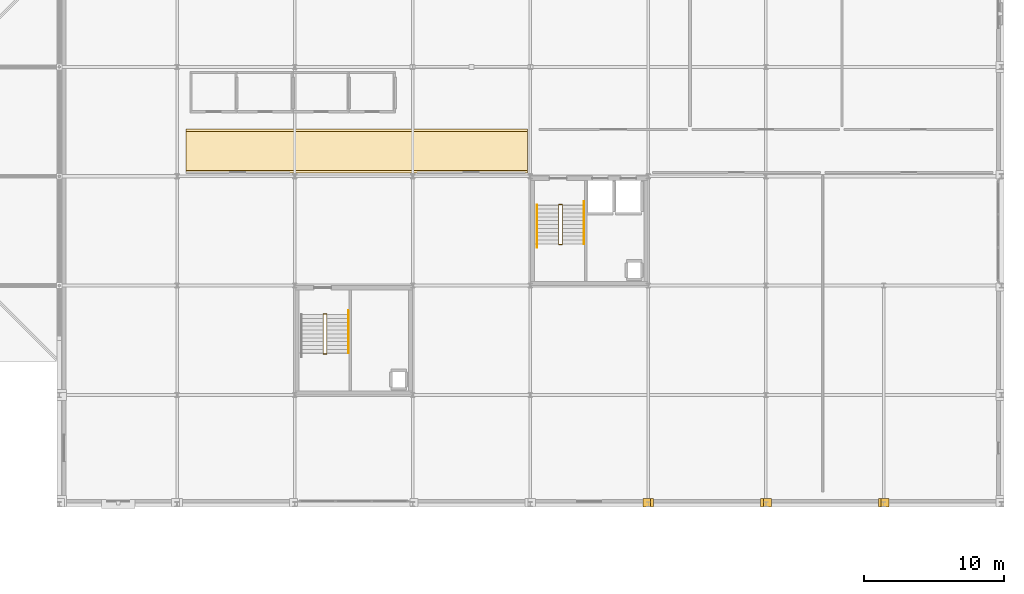
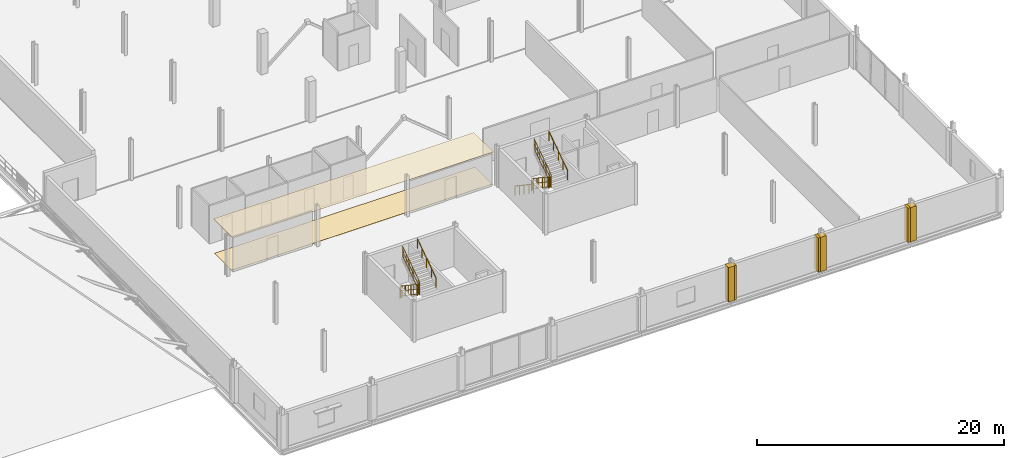
# One storey, part 74 of 77: 11 railings, 8 coverings.
"""IFC4 building model written with IfcOpenShell, lengths in metres."""

from ifc_helpers import new_model, si_unit, direction, frame, origin, origin_2d, place, context, subcontext, project, spatial, polyline, circle, outline, extrude, material, layer, layer_set, type_object, element, save


model = new_model("IFC4")

# Units and contexts
model_context = context("Model", 3, precision=1e-05, world=origin(), true_north=direction((0.0, 1.0)))
body_context = subcontext(model_context, "Body", "Model", "MODEL_VIEW")
ifc_project = project(units=[si_unit("LENGTHUNIT", "METRE"), si_unit("AREAUNIT", "SQUARE_METRE"), si_unit("VOLUMEUNIT", "CUBIC_METRE"), si_unit("PLANEANGLEUNIT", "RADIAN"), si_unit("MASSUNIT", "GRAM", prefix="KILO")], contexts=[model_context])

# Site, building, storey
site_placement = place(None, origin())
site = spatial("IfcSite", under=ifc_project, at=site_placement, CompositionType="ELEMENT")
building_placement = place(site_placement, origin())
building = spatial("IfcBuilding", under=site, at=building_placement, Name="Nabrawat Pavilion Hospital", CompositionType="ELEMENT")
storey_placement = place(building_placement, frame((0.0, 0.0, 14.85009765625)))
storey = spatial("IfcBuildingStorey", under=building, at=storey_placement, Name="L03", CompositionType="ELEMENT", Elevation=14.85009765625)

# Coverings
ifc_material_1 = material(Name="Precast concrete C40/50", Category="concrete")
ifc_layer_1 = layer(ifc_material_1, 0.360107421875, Name="Precast concrete C40/50")
ifc_layer_set_1 = layer_set([ifc_layer_1], Name="Precast concrete C40/50")
covering_type_1 = type_object("IfcCoveringType", Name="Architectural Precast Column-Jamb Closure Reveal", PredefinedType="CLADDING", material=ifc_layer_set_1)
covering_1_placement = place(storey_placement, origin())
element("IfcCovering", 1, at=covering_1_placement, inside=storey, type_object=covering_type_1, Name="L03 Precast Facade Column-Jamb Weatherseal Closure 0477", PredefinedType="CLADDING", context=body_context, shape_type="SweptSolid", body=[
    extrude(outline(polyline([(168.179931640625, -0.179931640625), (168.179931640625, 0.39990234375), (167.6201171875, 0.39990234375), (167.6201171875, -0.179931640625), (168.179931640625, -0.179931640625)])), origin(), (0.0, 0.0, 1.0), 3.39990234375),
])
covering_2_placement = place(storey_placement, origin())
element("IfcCovering", 2, at=covering_2_placement, inside=storey, type_object=covering_type_1, Name="L03 Precast Facade Column-Jamb Weatherseal Closure 0478", PredefinedType="CLADDING", context=body_context, shape_type="SweptSolid", body=[
    extrude(outline(polyline([(168.3798828125, -0.179931640625), (168.3798828125, 0.39990234375), (167.820068359375, 0.39990234375), (167.820068359375, -0.179931640625), (168.3798828125, -0.179931640625)])), origin(), (0.0, 0.0, 1.0), 3.39990234375),
])
covering_3_placement = place(storey_placement, origin())
element("IfcCovering", 3, at=covering_3_placement, inside=storey, type_object=covering_type_1, Name="L03 Precast Facade Column-Jamb Weatherseal Closure 0479", PredefinedType="CLADDING", context=body_context, shape_type="SweptSolid", body=[
    extrude(outline(polyline([(176.580078125, -0.179931640625), (176.580078125, 0.39990234375), (176.02001953125, 0.39990234375), (176.02001953125, -0.179931640625), (176.580078125, -0.179931640625)])), origin(), (0.0, 0.0, 1.0), 3.39990234375),
])
covering_4_placement = place(storey_placement, origin())
element("IfcCovering", 4, at=covering_4_placement, inside=storey, type_object=covering_type_1, Name="L03 Precast Facade Column-Jamb Weatherseal Closure 0480", PredefinedType="CLADDING", context=body_context, shape_type="SweptSolid", body=[
    extrude(outline(polyline([(176.780029296875, -0.179931640625), (176.780029296875, 0.39990234375), (176.219970703125, 0.39990234375), (176.219970703125, -0.179931640625), (176.780029296875, -0.179931640625)])), origin(), (0.0, 0.0, 1.0), 3.39990234375),
])
covering_5_placement = place(storey_placement, origin())
element("IfcCovering", 5, at=covering_5_placement, inside=storey, type_object=covering_type_1, Name="L03 Precast Facade Column-Jamb Weatherseal Closure 0481", PredefinedType="CLADDING", context=body_context, shape_type="SweptSolid", body=[
    extrude(outline(polyline([(184.97998046875, -0.179931640625), (184.97998046875, 0.39990234375), (184.419921875, 0.39990234375), (184.419921875, -0.179931640625), (184.97998046875, -0.179931640625)])), origin(), (0.0, 0.0, 1.0), 3.39990234375),
])
covering_6_placement = place(storey_placement, origin())
element("IfcCovering", 6, at=covering_6_placement, inside=storey, type_object=covering_type_1, Name="L03 Precast Facade Column-Jamb Weatherseal Closure 0482", PredefinedType="CLADDING", context=body_context, shape_type="SweptSolid", body=[
    extrude(outline(polyline([(185.179931640625, -0.179931640625), (185.179931640625, 0.39990234375), (184.6201171875, 0.39990234375), (184.6201171875, -0.179931640625), (185.179931640625, -0.179931640625)])), origin(), (0.0, 0.0, 1.0), 3.39990234375),
])
ifc_material_2 = material(Name="Mineral-Fibre Hygienic Acoustic Board", Category="gypsum")
ifc_layer_2 = layer(ifc_material_2, 0.02490234375, Name="Mineral-Fibre Hygienic Acoustic Board")
ifc_layer_set_2 = layer_set([ifc_layer_2], Name="Mineral-Fibre Hygienic Acoustic Board")
covering_type_2 = type_object("IfcCoveringType", Name="Hygienic Anti-Bacterial Acoustic Tile Ceiling", PredefinedType="CEILING", material=ifc_layer_set_2)
covering_7_placement = place(storey_placement, frame((0.0, 0.0, 3.27978515625)))
element("IfcCovering", 7, at=covering_7_placement, inside=storey, type_object=covering_type_2, Name="L03 Clinical Corridor Acoustic Ceiling 08", PredefinedType="CEILING", context=body_context, shape_type="SweptSolid", body=[
    extrude(outline(polyline([(159.39990234375, 23.6201171875), (159.39990234375, 26.780029296875), (135.050048828125, 26.780029296875), (135.050048828125, 23.6201171875), (159.39990234375, 23.6201171875)])), origin(), (0.0, 0.0, 1.0), 0.025146484375),
])
ifc_material_3 = material(Name="Homogeneous Medical PVC Vinyl", Category="plastic")
ifc_layer_3 = layer(ifc_material_3, 0.014892578125, Name="Homogeneous Medical PVC Vinyl")
ifc_layer_set_3 = layer_set([ifc_layer_3], Name="Homogeneous Medical PVC Vinyl")
covering_type_3 = type_object("IfcCoveringType", Name="Seamless Anti-Static Medical Vinyl Flooring", PredefinedType="FLOORING", material=ifc_layer_set_3)
covering_8_placement = place(storey_placement, origin())
element("IfcCovering", 8, at=covering_8_placement, inside=storey, type_object=covering_type_3, Name="L03 Clinical Corridor Medical Vinyl Flooring 08", PredefinedType="FLOORING", context=body_context, shape_type="SweptSolid", body=[
    extrude(outline(polyline([(159.39990234375, 23.800048828125), (159.39990234375, 26.60009765625), (135.050048828125, 26.60009765625), (135.050048828125, 23.800048828125), (159.39990234375, 23.800048828125)])), origin(), (0.0, 0.0, 1.0), 0.014892578125),
])

# Railings
ifc_material_4 = material(Name="Stainless Steel 316", Category="steel")
ifc_layer_4 = layer(ifc_material_4, 0.050048828125, Name="Stainless Steel 316")
ifc_layer_set_4 = layer_set([ifc_layer_4], Name="Stainless Steel 316")
railing_type_1 = type_object("IfcRailingType", Name="Stair Open-Well Safety Guardrail 1100", PredefinedType="GUARDRAIL", material=ifc_layer_set_4)
railing_1_placement = place(storey_placement, frame((161.625, 21.330078125, 0.18408203125)))
element("IfcRailing", 9, at=railing_1_placement, inside=storey, type_object=railing_type_1, Name="L03 ST-04 stair guard 1", PredefinedType="GUARDRAIL", context=body_context, shape_type="SweptSolid", body=[
    extrude(circle(Radius=0.02392578125, at=origin_2d()), frame((0.0, 0.0, 1.076171875), z_axis=(0.0, -0.831004616288, 0.556265519071), x_axis=(1.0, 0.0, 0.0)), (0.0, 0.0, 1.0), 3.309326171875),
    extrude(circle(Radius=0.02392578125, at=origin_2d()), frame((0.0, 0.0, 0.10009765625), z_axis=(0.0, -0.831004616288, 0.556265519071), x_axis=(1.0, 0.0, 0.0)), (0.0, 0.0, 1.0), 3.309326171875),
    extrude(circle(Radius=0.02392578125, at=origin_2d()), frame((0.0, 0.0, 0.60498046875), z_axis=(0.0, -0.831004616288, 0.556265519071), x_axis=(1.0, 0.0, 0.0)), (0.0, 0.0, 1.0), 3.309326171875),
    extrude(circle(Radius=0.008056640625, at=origin_2d()), frame((0.0, -0.196533203125, 0.2314453125)), (0.0, 0.0, 1.0), 0.951904296875),
    extrude(circle(Radius=0.008056640625, at=origin_2d()), frame((0.0, -0.392822265625, 0.363037109375)), (0.0, 0.0, 1.0), 0.951904296875),
    extrude(circle(Radius=0.008056640625, at=origin_2d()), frame((0.0, -0.58935546875, 0.494384765625)), (0.0, 0.0, 1.0), 0.951904296875),
    extrude(circle(Radius=0.008056640625, at=origin_2d()), frame((0.0, -0.78564453125, 0.6259765625)), (0.0, 0.0, 1.0), 0.951904296875),
    extrude(circle(Radius=0.008056640625, at=origin_2d()), frame((0.0, -0.982177734375, 0.75732421875)), (0.0, 0.0, 1.0), 0.951904296875),
    extrude(circle(Radius=0.008056640625, at=origin_2d()), frame((0.0, -1.178466796875, 0.888916015625)), (0.0, 0.0, 1.0), 0.951904296875),
    extrude(circle(Radius=0.008056640625, at=origin_2d()), frame((0.0, -1.375, 1.0205078125)), (0.0, 0.0, 1.0), 0.951904296875),
    extrude(circle(Radius=0.008056640625, at=origin_2d()), frame((0.0, -1.571533203125, 1.15185546875)), (0.0, 0.0, 1.0), 0.951904296875),
    extrude(circle(Radius=0.008056640625, at=origin_2d()), frame((0.0, -1.767822265625, 1.283447265625)), (0.0, 0.0, 1.0), 0.951904296875),
    extrude(circle(Radius=0.008056640625, at=origin_2d()), frame((0.0, -1.96435546875, 1.414794921875)), (0.0, 0.0, 1.0), 0.951904296875),
    extrude(circle(Radius=0.008056640625, at=origin_2d()), frame((0.0, -2.16064453125, 1.54638671875)), (0.0, 0.0, 1.0), 0.951904296875),
    extrude(circle(Radius=0.008056640625, at=origin_2d()), frame((0.0, -2.357177734375, 1.677734375)), (0.0, 0.0, 1.0), 0.951904296875),
    extrude(circle(Radius=0.008056640625, at=origin_2d()), frame((0.0, -2.553466796875, 1.809326171875)), (0.0, 0.0, 1.0), 0.951904296875),
    extrude(circle(Radius=0.02099609375, at=origin_2d()), origin(), (0.0, 0.0, 1.0), 1.052001953125),
    extrude(circle(Radius=0.02099609375, at=origin_2d()), frame((0.0, -0.916748046875, 0.613525390625)), (0.0, 0.0, 1.0), 1.052001953125),
    extrude(circle(Radius=0.02099609375, at=origin_2d()), frame((0.0, -1.833251953125, 1.227294921875)), (0.0, 0.0, 1.0), 1.052001953125),
    extrude(circle(Radius=0.02099609375, at=origin_2d()), frame((0.0, -2.75, 1.8408203125)), (0.0, 0.0, 1.0), 1.052001953125),
])
railing_2_placement = place(storey_placement, frame((161.64990234375, 18.530029296875, 2.02490234375)))
element("IfcRailing", 10, at=railing_2_placement, inside=storey, type_object=railing_type_1, Name="L03 ST-04 stair guard 2", PredefinedType="GUARDRAIL", context=body_context, shape_type="SweptSolid", body=[
    extrude(circle(Radius=0.02392578125, at=origin_2d()), frame((0.0, 0.0, 1.076171875), z_axis=(1.0, 0.0, 0.0), x_axis=(0.0, 1.0, 0.0)), (0.0, 0.0, 1.0), 0.2001953125),
    extrude(circle(Radius=0.02392578125, at=origin_2d()), frame((0.0, 0.0, 0.10009765625), z_axis=(1.0, 0.0, 0.0), x_axis=(0.0, 1.0, 0.0)), (0.0, 0.0, 1.0), 0.2001953125),
    extrude(circle(Radius=0.02392578125, at=origin_2d()), frame((0.0, 0.0, 0.60498046875), z_axis=(1.0, 0.0, 0.0), x_axis=(0.0, 1.0, 0.0)), (0.0, 0.0, 1.0), 0.2001953125),
    extrude(circle(Radius=0.008056640625, at=origin_2d()), frame((0.10009765625, 0.0, 0.10009765625)), (0.0, 0.0, 1.0), 0.951904296875),
    extrude(circle(Radius=0.02099609375, at=origin_2d()), origin(), (0.0, 0.0, 1.0), 1.052001953125),
    extrude(circle(Radius=0.02099609375, at=origin_2d()), frame((0.2001953125, 0.0, 0.0)), (0.0, 0.0, 1.0), 1.052001953125),
])
railing_3_placement = place(storey_placement, frame((161.875, 18.580078125, 2.208984375)))
element("IfcRailing", 11, at=railing_3_placement, inside=storey, type_object=railing_type_1, Name="L03 ST-04 stair guard 3", PredefinedType="GUARDRAIL", context=body_context, shape_type="SweptSolid", body=[
    extrude(circle(Radius=0.02392578125, at=origin_2d()), frame((0.0, 0.0, 1.076171875), z_axis=(0.0, 0.831004616288, 0.556265519071), x_axis=(-1.0, 0.0, 0.0)), (0.0, 0.0, 1.0), 3.309326171875),
    extrude(circle(Radius=0.02392578125, at=origin_2d()), frame((0.0, 0.0, 0.10009765625), z_axis=(0.0, 0.831004616288, 0.556265519071), x_axis=(-1.0, 0.0, 0.0)), (0.0, 0.0, 1.0), 3.309326171875),
    extrude(circle(Radius=0.02392578125, at=origin_2d()), frame((0.0, 0.0, 0.60498046875), z_axis=(0.0, 0.831004616288, 0.556265519071), x_axis=(-1.0, 0.0, 0.0)), (0.0, 0.0, 1.0), 3.309326171875),
    extrude(circle(Radius=0.008056640625, at=origin_2d()), frame((0.0, 0.196533203125, 0.2314453125)), (0.0, 0.0, 1.0), 0.951904296875),
    extrude(circle(Radius=0.008056640625, at=origin_2d()), frame((0.0, 0.392822265625, 0.363037109375)), (0.0, 0.0, 1.0), 0.951904296875),
    extrude(circle(Radius=0.008056640625, at=origin_2d()), frame((0.0, 0.58935546875, 0.494384765625)), (0.0, 0.0, 1.0), 0.951904296875),
    extrude(circle(Radius=0.008056640625, at=origin_2d()), frame((0.0, 0.78564453125, 0.6259765625)), (0.0, 0.0, 1.0), 0.951904296875),
    extrude(circle(Radius=0.008056640625, at=origin_2d()), frame((0.0, 0.982177734375, 0.75732421875)), (0.0, 0.0, 1.0), 0.951904296875),
    extrude(circle(Radius=0.008056640625, at=origin_2d()), frame((0.0, 1.178466796875, 0.888916015625)), (0.0, 0.0, 1.0), 0.951904296875),
    extrude(circle(Radius=0.008056640625, at=origin_2d()), frame((0.0, 1.375, 1.0205078125)), (0.0, 0.0, 1.0), 0.951904296875),
    extrude(circle(Radius=0.008056640625, at=origin_2d()), frame((0.0, 1.571533203125, 1.15185546875)), (0.0, 0.0, 1.0), 0.951904296875),
    extrude(circle(Radius=0.008056640625, at=origin_2d()), frame((0.0, 1.767822265625, 1.283447265625)), (0.0, 0.0, 1.0), 0.951904296875),
    extrude(circle(Radius=0.008056640625, at=origin_2d()), frame((0.0, 1.96435546875, 1.414794921875)), (0.0, 0.0, 1.0), 0.951904296875),
    extrude(circle(Radius=0.008056640625, at=origin_2d()), frame((0.0, 2.16064453125, 1.54638671875)), (0.0, 0.0, 1.0), 0.951904296875),
    extrude(circle(Radius=0.008056640625, at=origin_2d()), frame((0.0, 2.357177734375, 1.677734375)), (0.0, 0.0, 1.0), 0.951904296875),
    extrude(circle(Radius=0.008056640625, at=origin_2d()), frame((0.0, 2.553466796875, 1.809326171875)), (0.0, 0.0, 1.0), 0.951904296875),
    extrude(circle(Radius=0.02099609375, at=origin_2d()), origin(), (0.0, 0.0, 1.0), 1.052001953125),
    extrude(circle(Radius=0.02099609375, at=origin_2d()), frame((0.0, 0.916748046875, 0.613525390625)), (0.0, 0.0, 1.0), 1.052001953125),
    extrude(circle(Radius=0.02099609375, at=origin_2d()), frame((0.0, 1.833251953125, 1.227294921875)), (0.0, 0.0, 1.0), 1.052001953125),
    extrude(circle(Radius=0.02099609375, at=origin_2d()), frame((0.0, 2.75, 1.8408203125)), (0.0, 0.0, 1.0), 1.052001953125),
])
railing_4_placement = place(storey_placement, frame((161.64990234375, 21.3798828125, 0.0)))
element("IfcRailing", 12, at=railing_4_placement, inside=storey, type_object=railing_type_1, Name="L03 ST-04 stair guard 4", PredefinedType="GUARDRAIL", context=body_context, shape_type="SweptSolid", body=[
    extrude(circle(Radius=0.02392578125, at=origin_2d()), frame((0.0, 0.0, 1.076171875), z_axis=(1.0, 0.0, 0.0), x_axis=(0.0, 1.0, 0.0)), (0.0, 0.0, 1.0), 0.2001953125),
    extrude(circle(Radius=0.02392578125, at=origin_2d()), frame((0.0, 0.0, 0.10009765625), z_axis=(1.0, 0.0, 0.0), x_axis=(0.0, 1.0, 0.0)), (0.0, 0.0, 1.0), 0.2001953125),
    extrude(circle(Radius=0.02392578125, at=origin_2d()), frame((0.0, 0.0, 0.60498046875), z_axis=(1.0, 0.0, 0.0), x_axis=(0.0, 1.0, 0.0)), (0.0, 0.0, 1.0), 0.2001953125),
    extrude(circle(Radius=0.008056640625, at=origin_2d()), frame((0.10009765625, 0.0, 0.10009765625)), (0.0, 0.0, 1.0), 0.951904296875),
    extrude(circle(Radius=0.02099609375, at=origin_2d()), origin(), (0.0, 0.0, 1.0), 1.052001953125),
    extrude(circle(Radius=0.02099609375, at=origin_2d()), frame((0.2001953125, 0.0, 0.0)), (0.0, 0.0, 1.0), 1.052001953125),
])
railing_5_placement = place(storey_placement, frame((144.824951171875, 13.530029296875, 0.18408203125)))
element("IfcRailing", 13, at=railing_5_placement, inside=storey, type_object=railing_type_1, Name="L03 ST-08 stair guard 1", PredefinedType="GUARDRAIL", context=body_context, shape_type="SweptSolid", body=[
    extrude(circle(Radius=0.02392578125, at=origin_2d()), frame((0.0, 0.0, 1.076171875), z_axis=(0.0, -0.831004616288, 0.556265519071), x_axis=(1.0, 0.0, 0.0)), (0.0, 0.0, 1.0), 3.309326171875),
    extrude(circle(Radius=0.02392578125, at=origin_2d()), frame((0.0, 0.0, 0.10009765625), z_axis=(0.0, -0.831004616288, 0.556265519071), x_axis=(1.0, 0.0, 0.0)), (0.0, 0.0, 1.0), 3.309326171875),
    extrude(circle(Radius=0.02392578125, at=origin_2d()), frame((0.0, 0.0, 0.60498046875), z_axis=(0.0, -0.831004616288, 0.556265519071), x_axis=(1.0, 0.0, 0.0)), (0.0, 0.0, 1.0), 3.309326171875),
    extrude(circle(Radius=0.008056640625, at=origin_2d()), frame((0.0, -0.196533203125, 0.2314453125)), (0.0, 0.0, 1.0), 0.951904296875),
    extrude(circle(Radius=0.008056640625, at=origin_2d()), frame((0.0, -0.392822265625, 0.363037109375)), (0.0, 0.0, 1.0), 0.951904296875),
    extrude(circle(Radius=0.008056640625, at=origin_2d()), frame((0.0, -0.58935546875, 0.494384765625)), (0.0, 0.0, 1.0), 0.951904296875),
    extrude(circle(Radius=0.008056640625, at=origin_2d()), frame((0.0, -0.78564453125, 0.6259765625)), (0.0, 0.0, 1.0), 0.951904296875),
    extrude(circle(Radius=0.008056640625, at=origin_2d()), frame((0.0, -0.982177734375, 0.75732421875)), (0.0, 0.0, 1.0), 0.951904296875),
    extrude(circle(Radius=0.008056640625, at=origin_2d()), frame((0.0, -1.178466796875, 0.888916015625)), (0.0, 0.0, 1.0), 0.951904296875),
    extrude(circle(Radius=0.008056640625, at=origin_2d()), frame((0.0, -1.375, 1.0205078125)), (0.0, 0.0, 1.0), 0.951904296875),
    extrude(circle(Radius=0.008056640625, at=origin_2d()), frame((0.0, -1.571533203125, 1.15185546875)), (0.0, 0.0, 1.0), 0.951904296875),
    extrude(circle(Radius=0.008056640625, at=origin_2d()), frame((0.0, -1.767822265625, 1.283447265625)), (0.0, 0.0, 1.0), 0.951904296875),
    extrude(circle(Radius=0.008056640625, at=origin_2d()), frame((0.0, -1.96435546875, 1.414794921875)), (0.0, 0.0, 1.0), 0.951904296875),
    extrude(circle(Radius=0.008056640625, at=origin_2d()), frame((0.0, -2.16064453125, 1.54638671875)), (0.0, 0.0, 1.0), 0.951904296875),
    extrude(circle(Radius=0.008056640625, at=origin_2d()), frame((0.0, -2.357177734375, 1.677734375)), (0.0, 0.0, 1.0), 0.951904296875),
    extrude(circle(Radius=0.008056640625, at=origin_2d()), frame((0.0, -2.553466796875, 1.809326171875)), (0.0, 0.0, 1.0), 0.951904296875),
    extrude(circle(Radius=0.02099609375, at=origin_2d()), origin(), (0.0, 0.0, 1.0), 1.052001953125),
    extrude(circle(Radius=0.02099609375, at=origin_2d()), frame((0.0, -0.916748046875, 0.613525390625)), (0.0, 0.0, 1.0), 1.052001953125),
    extrude(circle(Radius=0.02099609375, at=origin_2d()), frame((0.0, -1.833251953125, 1.227294921875)), (0.0, 0.0, 1.0), 1.052001953125),
    extrude(circle(Radius=0.02099609375, at=origin_2d()), frame((0.0, -2.75, 1.8408203125)), (0.0, 0.0, 1.0), 1.052001953125),
])
railing_6_placement = place(storey_placement, frame((144.85009765625, 10.72998046875, 2.02490234375)))
element("IfcRailing", 14, at=railing_6_placement, inside=storey, type_object=railing_type_1, Name="L03 ST-08 stair guard 2", PredefinedType="GUARDRAIL", context=body_context, shape_type="SweptSolid", body=[
    extrude(circle(Radius=0.02392578125, at=origin_2d()), frame((0.0, 0.0, 1.076171875), z_axis=(1.0, 0.0, 0.0), x_axis=(0.0, 1.0, 0.0)), (0.0, 0.0, 1.0), 0.199951171875),
    extrude(circle(Radius=0.02392578125, at=origin_2d()), frame((0.0, 0.0, 0.10009765625), z_axis=(1.0, 0.0, 0.0), x_axis=(0.0, 1.0, 0.0)), (0.0, 0.0, 1.0), 0.199951171875),
    extrude(circle(Radius=0.02392578125, at=origin_2d()), frame((0.0, 0.0, 0.60498046875), z_axis=(1.0, 0.0, 0.0), x_axis=(0.0, 1.0, 0.0)), (0.0, 0.0, 1.0), 0.199951171875),
    extrude(circle(Radius=0.008056640625, at=origin_2d()), frame((0.10009765625, 0.0, 0.10009765625)), (0.0, 0.0, 1.0), 0.951904296875),
    extrude(circle(Radius=0.02099609375, at=origin_2d()), origin(), (0.0, 0.0, 1.0), 1.052001953125),
    extrude(circle(Radius=0.02099609375, at=origin_2d()), frame((0.199951171875, 0.0, 0.0)), (0.0, 0.0, 1.0), 1.052001953125),
])
railing_7_placement = place(storey_placement, frame((145.074951171875, 10.780029296875, 2.208984375)))
element("IfcRailing", 15, at=railing_7_placement, inside=storey, type_object=railing_type_1, Name="L03 ST-08 stair guard 3", PredefinedType="GUARDRAIL", context=body_context, shape_type="SweptSolid", body=[
    extrude(circle(Radius=0.02392578125, at=origin_2d()), frame((0.0, 0.0, 1.076171875), z_axis=(0.0, 0.831004616288, 0.556265519071), x_axis=(-1.0, 0.0, 0.0)), (0.0, 0.0, 1.0), 3.309326171875),
    extrude(circle(Radius=0.02392578125, at=origin_2d()), frame((0.0, 0.0, 0.10009765625), z_axis=(0.0, 0.831004616288, 0.556265519071), x_axis=(-1.0, 0.0, 0.0)), (0.0, 0.0, 1.0), 3.309326171875),
    extrude(circle(Radius=0.02392578125, at=origin_2d()), frame((0.0, 0.0, 0.60498046875), z_axis=(0.0, 0.831004616288, 0.556265519071), x_axis=(-1.0, 0.0, 0.0)), (0.0, 0.0, 1.0), 3.309326171875),
    extrude(circle(Radius=0.008056640625, at=origin_2d()), frame((0.0, 0.196533203125, 0.2314453125)), (0.0, 0.0, 1.0), 0.951904296875),
    extrude(circle(Radius=0.008056640625, at=origin_2d()), frame((0.0, 0.392822265625, 0.363037109375)), (0.0, 0.0, 1.0), 0.951904296875),
    extrude(circle(Radius=0.008056640625, at=origin_2d()), frame((0.0, 0.58935546875, 0.494384765625)), (0.0, 0.0, 1.0), 0.951904296875),
    extrude(circle(Radius=0.008056640625, at=origin_2d()), frame((0.0, 0.78564453125, 0.6259765625)), (0.0, 0.0, 1.0), 0.951904296875),
    extrude(circle(Radius=0.008056640625, at=origin_2d()), frame((0.0, 0.982177734375, 0.75732421875)), (0.0, 0.0, 1.0), 0.951904296875),
    extrude(circle(Radius=0.008056640625, at=origin_2d()), frame((0.0, 1.178466796875, 0.888916015625)), (0.0, 0.0, 1.0), 0.951904296875),
    extrude(circle(Radius=0.008056640625, at=origin_2d()), frame((0.0, 1.375, 1.0205078125)), (0.0, 0.0, 1.0), 0.951904296875),
    extrude(circle(Radius=0.008056640625, at=origin_2d()), frame((0.0, 1.571533203125, 1.15185546875)), (0.0, 0.0, 1.0), 0.951904296875),
    extrude(circle(Radius=0.008056640625, at=origin_2d()), frame((0.0, 1.767822265625, 1.283447265625)), (0.0, 0.0, 1.0), 0.951904296875),
    extrude(circle(Radius=0.008056640625, at=origin_2d()), frame((0.0, 1.96435546875, 1.414794921875)), (0.0, 0.0, 1.0), 0.951904296875),
    extrude(circle(Radius=0.008056640625, at=origin_2d()), frame((0.0, 2.16064453125, 1.54638671875)), (0.0, 0.0, 1.0), 0.951904296875),
    extrude(circle(Radius=0.008056640625, at=origin_2d()), frame((0.0, 2.357177734375, 1.677734375)), (0.0, 0.0, 1.0), 0.951904296875),
    extrude(circle(Radius=0.008056640625, at=origin_2d()), frame((0.0, 2.553466796875, 1.809326171875)), (0.0, 0.0, 1.0), 0.951904296875),
    extrude(circle(Radius=0.02099609375, at=origin_2d()), origin(), (0.0, 0.0, 1.0), 1.052001953125),
    extrude(circle(Radius=0.02099609375, at=origin_2d()), frame((0.0, 0.916748046875, 0.613525390625)), (0.0, 0.0, 1.0), 1.052001953125),
    extrude(circle(Radius=0.02099609375, at=origin_2d()), frame((0.0, 1.833251953125, 1.227294921875)), (0.0, 0.0, 1.0), 1.052001953125),
    extrude(circle(Radius=0.02099609375, at=origin_2d()), frame((0.0, 2.75, 1.8408203125)), (0.0, 0.0, 1.0), 1.052001953125),
])
railing_8_placement = place(storey_placement, frame((144.85009765625, 13.580078125, 0.0)))
element("IfcRailing", 16, at=railing_8_placement, inside=storey, type_object=railing_type_1, Name="L03 ST-08 stair guard 4", PredefinedType="GUARDRAIL", context=body_context, shape_type="SweptSolid", body=[
    extrude(circle(Radius=0.02392578125, at=origin_2d()), frame((0.0, 0.0, 1.076171875), z_axis=(1.0, 0.0, 0.0), x_axis=(0.0, 1.0, 0.0)), (0.0, 0.0, 1.0), 0.199951171875),
    extrude(circle(Radius=0.02392578125, at=origin_2d()), frame((0.0, 0.0, 0.10009765625), z_axis=(1.0, 0.0, 0.0), x_axis=(0.0, 1.0, 0.0)), (0.0, 0.0, 1.0), 0.199951171875),
    extrude(circle(Radius=0.02392578125, at=origin_2d()), frame((0.0, 0.0, 0.60498046875), z_axis=(1.0, 0.0, 0.0), x_axis=(0.0, 1.0, 0.0)), (0.0, 0.0, 1.0), 0.199951171875),
    extrude(circle(Radius=0.008056640625, at=origin_2d()), frame((0.10009765625, 0.0, 0.10009765625)), (0.0, 0.0, 1.0), 0.951904296875),
    extrude(circle(Radius=0.02099609375, at=origin_2d()), origin(), (0.0, 0.0, 1.0), 1.052001953125),
    extrude(circle(Radius=0.02099609375, at=origin_2d()), frame((0.199951171875, 0.0, 0.0)), (0.0, 0.0, 1.0), 1.052001953125),
])
ifc_layer_5 = layer(ifc_material_4, 0.044921875, Name="Stainless Steel 316")
ifc_layer_set_5 = layer_set([ifc_layer_5], Name="Stainless Steel 316")
railing_type_2 = type_object("IfcRailingType", Name="Stair Pitch Continuous Handrail 920", PredefinedType="HANDRAIL", material=ifc_layer_set_5)
railing_9_placement = place(storey_placement, frame((160.074951171875, 21.330078125, 0.18798828125)))
element("IfcRailing", 17, at=railing_9_placement, inside=storey, type_object=railing_type_2, Name="L03 ST-04 stair handrail 1", PredefinedType="HANDRAIL", context=body_context, shape_type="SweptSolid", body=[
    extrude(circle(Radius=0.02392578125, at=origin_2d()), frame((0.0, 0.0, 0.89599609375), z_axis=(0.0, -0.830986065984, 0.556293230356), x_axis=(1.0, 0.0, 0.0)), (0.0, 0.0, 1.0), 3.640380859375),
    extrude(circle(Radius=0.02099609375, at=origin_2d()), origin(), (0.0, 0.0, 1.0), 0.871826171875),
    extrude(circle(Radius=0.02099609375, at=origin_2d()), frame((0.0, -0.75634765625, 0.50634765625)), (0.0, 0.0, 1.0), 0.871826171875),
    extrude(circle(Radius=0.02099609375, at=origin_2d()), frame((0.0, -1.5126953125, 1.0126953125)), (0.0, 0.0, 1.0), 0.871826171875),
    extrude(circle(Radius=0.02099609375, at=origin_2d()), frame((0.0, -2.268798828125, 1.518798828125)), (0.0, 0.0, 1.0), 0.871826171875),
    extrude(circle(Radius=0.02099609375, at=origin_2d()), frame((0.0, -3.025146484375, 2.025146484375)), (0.0, 0.0, 1.0), 0.871826171875),
])
for number, where, name in (
    (18, (163.425048828125, 18.580078125, 2.213134765625), "L03 ST-04 stair handrail 2"),
    (19, (146.625, 10.780029296875, 2.213134765625), "L03 ST-08 stair handrail 2"),
):
    element("IfcRailing", number, at=place(storey_placement, frame(where)), inside=storey, type_object=railing_type_2, Name=name, PredefinedType="HANDRAIL", context=body_context, shape_type="SweptSolid", body=[
        extrude(circle(Radius=0.02392578125, at=origin_2d()), frame((0.0, 0.0, 0.89599609375), z_axis=(0.0, 0.830996314782, 0.556277920484), x_axis=(-1.0, 0.0, 0.0)), (0.0, 0.0, 1.0), 3.64013671875),
        extrude(circle(Radius=0.02099609375, at=origin_2d()), origin(), (0.0, 0.0, 1.0), 0.871826171875),
        extrude(circle(Radius=0.02099609375, at=origin_2d()), frame((0.0, 0.75634765625, 0.50634765625)), (0.0, 0.0, 1.0), 0.871826171875),
        extrude(circle(Radius=0.02099609375, at=origin_2d()), frame((0.0, 1.512451171875, 1.012451171875)), (0.0, 0.0, 1.0), 0.871826171875),
        extrude(circle(Radius=0.02099609375, at=origin_2d()), frame((0.0, 2.2685546875, 1.5185546875)), (0.0, 0.0, 1.0), 0.871826171875),
        extrude(circle(Radius=0.02099609375, at=origin_2d()), frame((0.0, 3.02490234375, 2.02490234375)), (0.0, 0.0, 1.0), 0.871826171875),
    ])

save(model, "model.ifc")
